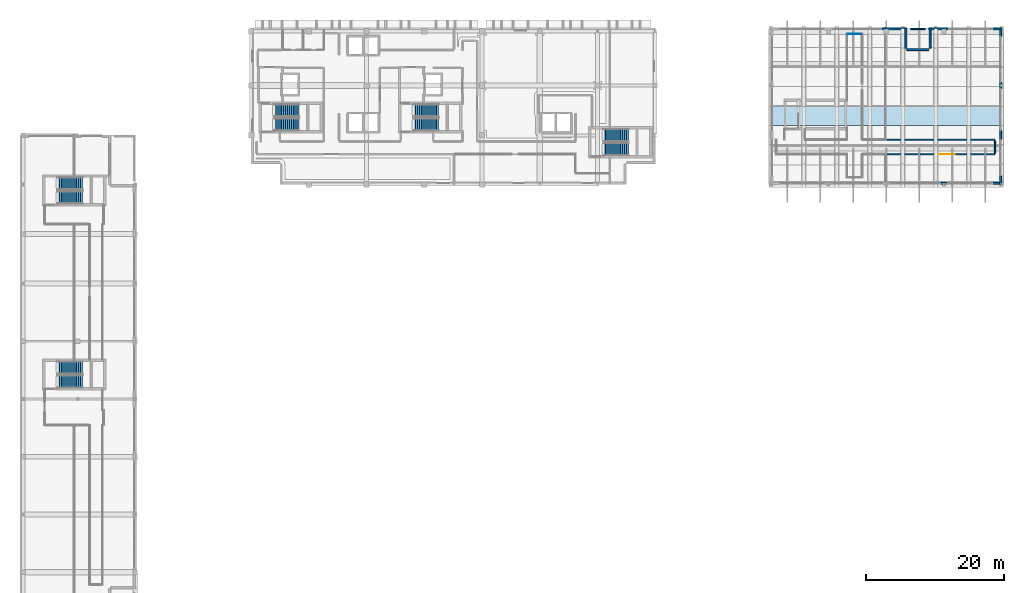
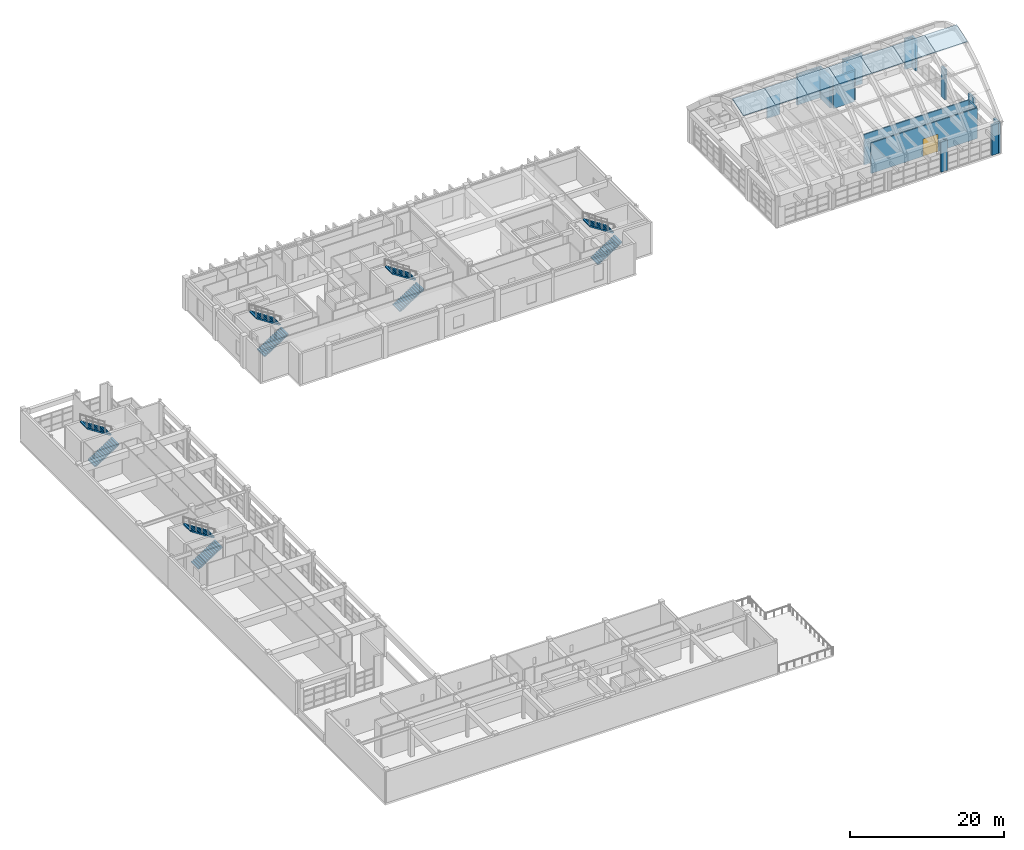
# One storey, part 71 of 78: 17 walls, 10 stair flights, 7 roofs, 1 door, 1 opening, 5 elements without a shape of their own.
"""IFC4 building model written with IfcOpenShell, lengths in metres."""

from ifc_helpers import new_model, si_unit, direction, frame, frame_2d, origin, place, context, subcontext, project, spatial, polyline, rectangle, outline, extrude, material, layer, layer_set, type_object, element, fill, aggregate, save


model = new_model("IFC4")

# Units and contexts
model_context = context("Model", 3, precision=1e-05, world=origin(), true_north=direction((0.0, 1.0)))
body_context = subcontext(model_context, "Body", "Model", "MODEL_VIEW")
ifc_project = project(units=[si_unit("LENGTHUNIT", "METRE"), si_unit("AREAUNIT", "SQUARE_METRE"), si_unit("VOLUMEUNIT", "CUBIC_METRE"), si_unit("PLANEANGLEUNIT", "RADIAN"), si_unit("MASSUNIT", "GRAM", prefix="KILO")], contexts=[model_context])

# Site, building, storey
site_placement = place(None, origin())
site = spatial("IfcSite", under=ifc_project, at=site_placement, CompositionType="ELEMENT")
building_placement = place(site_placement, origin())
building = spatial("IfcBuilding", under=site, at=building_placement, Name="Quendrovan Civic Courthouse", CompositionType="ELEMENT")
storey_placement = place(building_placement, frame((0.0, 0.0, 20.39990234375)))
storey = spatial("IfcBuildingStorey", under=building, at=storey_placement, Name="L05", CompositionType="ELEMENT", Elevation=20.39990234375)

# Wall, opening, door
ifc_material_1 = material(Name="Acoustic gypsum and mineral wool partition")
ifc_layer_1 = layer(ifc_material_1, 0.179931640625, Name="Acoustic gypsum and mineral wool partition")
ifc_layer_set_1 = layer_set([ifc_layer_1], Name="Acoustic gypsum and mineral wool partition")
wall_type_1 = type_object("IfcWallType", Name="WL-CRT-AC180", PredefinedType="PARTITIONING", material=ifc_layer_set_1)
wall_1_placement = place(storey_placement, frame((125.89990234375, 92.0, 0.0), z_axis=(0.0, 0.0, 1.0), x_axis=(1.0, 0.0, 0.0)))
wall_1 = element("IfcWall", 1, at=wall_1_placement, inside=storey, type_object=wall_type_1, Name="L05 Ceremonial Vault Observation and Judicial Salon Partition 0672", PredefinedType="PARTITIONING", context=body_context, shape_type="SweptSolid", body=[
    extrude(rectangle(XDim=15.900146484375, YDim=0.179931640625, at=frame_2d((7.9501953125, 0.0))), origin(), (0.0, 0.0, 1.0), 4.840087890625),
])
opening_placement = place(wall_1_placement, frame((7.763916015625, 0.0, 0.0)))
opening = element("IfcOpeningElement", 2, at=opening_placement, cuts=wall_1, Name="Opening D-L05-099", PredefinedType="OPENING", context=body_context, shape_type="SweptSolid", body=[
    extrude(rectangle(XDim=2.280029296875, YDim=2.75, at=frame_2d((1.14013671875, 1.375))), frame((0.0, 0.10009765625, 0.0), z_axis=(0.0, -1.0, 0.0), x_axis=(1.0, 0.0, 0.0)), (0.0, 0.0, 1.0), 0.199951171875),
])
ifc_material_2 = material(Name="Bronze-framed acoustic timber ceremonial door", Category="wood")
door_type = type_object("IfcDoorType", Name="DR-CER-DBL2280", OperationType="NOTDEFINED", PredefinedType="DOOR", material=ifc_material_2)
door_placement = place(opening_placement, origin())
door = element("IfcDoor", 3, at=door_placement, inside=storey, type_object=door_type, Name="L05 Ceremonial Vault Observation and Judicial Salon Door D-L05-099", OperationType="SINGLE_SWING_RIGHT", OverallHeight=2.75, OverallWidth=2.280029296875, PredefinedType="DOOR", context=body_context, shape_type="SweptSolid", body=[
    extrude(rectangle(XDim=2.280029296875, YDim=2.75, at=frame_2d((1.14013671875, 1.375))), frame((0.0, 0.02490234375, 0.0), z_axis=(0.0, -1.0, 0.0), x_axis=(1.0, 0.0, 0.0)), (0.0, 0.0, 1.0), 0.050048828125),
])
fill(opening, door)

# Walls
wall_2_placement = place(storey_placement, frame((141.800048828125, 94.10009765625, 0.0), z_axis=(0.0, 0.0, 1.0), x_axis=(-1.0, 0.0, 0.0)))
element("IfcWall", 4, at=wall_2_placement, inside=storey, type_object=wall_type_1, Name="L05 Ceremonial Vault Observation and Judicial Salon Partition 0673", PredefinedType="PARTITIONING", context=body_context, shape_type="SweptSolid", body=[
    extrude(rectangle(XDim=15.77001953125, YDim=0.179931640625, at=frame_2d((7.885009765625, 0.0))), origin(), (0.0, 0.0, 1.0), 4.840087890625),
])
wall_3_placement = place(storey_placement, frame((141.800048828125, 92.169921875, 0.0), z_axis=(0.0, 0.0, 1.0), x_axis=(0.0, 1.0, 0.0)))
element("IfcWall", 5, at=wall_3_placement, inside=storey, type_object=wall_type_1, Name="L05 Ceremonial Vault Observation and Judicial Salon Partition 0739", PredefinedType="PARTITIONING", context=body_context, shape_type="SweptSolid", body=[
    extrude(rectangle(XDim=1.760009765625, YDim=0.179931640625, at=frame_2d((0.8798828125, 0.0))), origin(), (0.0, 0.0, 1.0), 4.840087890625),
])
ifc_material_3 = material(Name="Precast concrete C45/55", Category="concrete")
ifc_layer_2 = layer(ifc_material_3, 0.2900390625, Name="Precast concrete C45/55")
ifc_layer_set_2 = layer_set([ifc_layer_2], Name="Precast concrete C45/55")
wall_type_2 = type_object("IfcWallType", Name="WL-EXT-PC290", PredefinedType="SOLIDWALL", material=ifc_layer_set_2)
wall_4_placement = place(storey_placement, frame((125.324951171875, 110.235107421875, 0.0), z_axis=(0.0, 0.0, 1.0), x_axis=(1.0, 0.0, 0.0)))
element("IfcWall", 6, at=wall_4_placement, inside=storey, type_object=wall_type_2, Name="L05 Exterior Pier Wall 451", PredefinedType="SOLIDWALL", context=body_context, shape_type="SweptSolid", body=[
    extrude(rectangle(XDim=3.675048828125, YDim=0.2900390625, at=frame_2d((1.83740234375, 0.0))), origin(), (0.0, 0.0, 1.0), 4.840087890625),
])
wall_5_placement = place(storey_placement, frame((128.8349609375, 110.39990234375, 0.0), z_axis=(0.0, 0.0, 1.0), x_axis=(0.0, -1.0, 0.0)))
element("IfcWall", 7, at=wall_5_placement, inside=storey, type_object=wall_type_2, Name="L05 Exterior Civic Portal Wall 452", PredefinedType="SOLIDWALL", context=body_context, shape_type="SweptSolid", body=[
    extrude(rectangle(XDim=3.0, YDim=0.2900390625, at=frame_2d((1.5, 0.0))), origin(), (0.0, 0.0, 1.0), 4.840087890625),
])
wall_6_placement = place(storey_placement, frame((129.0, 107.235107421875, 0.0), z_axis=(0.0, 0.0, 1.0), x_axis=(1.0, 0.0, 0.0)))
element("IfcWall", 8, at=wall_6_placement, inside=storey, type_object=wall_type_2, Name="L05 Exterior Civic Portal Wall 453", PredefinedType="SOLIDWALL", context=body_context, shape_type="SweptSolid", body=[
    extrude(rectangle(XDim=3.199951171875, YDim=0.2900390625, at=frame_2d((1.60009765625, 0.0))), origin(), (0.0, 0.0, 1.0), 4.840087890625),
])
wall_7_placement = place(storey_placement, frame((132.364990234375, 107.39990234375, 0.0), z_axis=(0.0, 0.0, 1.0), x_axis=(0.0, 1.0, 0.0)))
element("IfcWall", 9, at=wall_7_placement, inside=storey, type_object=wall_type_2, Name="L05 Exterior Civic Portal Wall 454", PredefinedType="SOLIDWALL", context=body_context, shape_type="SweptSolid", body=[
    extrude(rectangle(XDim=3.0, YDim=0.2900390625, at=frame_2d((1.5, 0.0))), origin(), (0.0, 0.0, 1.0), 4.840087890625),
])
wall_8_placement = place(storey_placement, frame((132.199951171875, 110.235107421875, 0.0), z_axis=(0.0, 0.0, 1.0), x_axis=(1.0, 0.0, 0.0)))
element("IfcWall", 10, at=wall_8_placement, inside=storey, type_object=wall_type_2, Name="L05 Exterior Pier Wall 455", PredefinedType="SOLIDWALL", context=body_context, shape_type="SweptSolid", body=[
    extrude(rectangle(XDim=2.875, YDim=0.2900390625, at=frame_2d((1.4375, 0.0))), origin(), (0.0, 0.0, 1.0), 4.840087890625),
])
wall_9_placement = place(storey_placement, frame((141.5, 110.235107421875, 0.0), z_axis=(0.0, 0.0, 1.0), x_axis=(1.0, 0.0, 0.0)))
element("IfcWall", 11, at=wall_9_placement, inside=storey, type_object=wall_type_2, Name="L05 Exterior Pier Wall 456", PredefinedType="SOLIDWALL", context=body_context, shape_type="SweptSolid", body=[
    extrude(rectangle(XDim=1.300048828125, YDim=0.2900390625, at=frame_2d((0.64990234375, 0.0))), origin(), (0.0, 0.0, 1.0), 4.840087890625),
])
wall_10_placement = place(storey_placement, frame((142.635009765625, 110.39990234375, 0.0), z_axis=(0.0, 0.0, 1.0), x_axis=(0.0, -1.0, 0.0)))
element("IfcWall", 12, at=wall_10_placement, inside=storey, type_object=wall_type_2, Name="L05 Exterior Pier Wall 457", PredefinedType="SOLIDWALL", context=body_context, shape_type="SweptSolid", body=[
    extrude(rectangle(XDim=1.2998046875, YDim=0.2900390625, at=frame_2d((0.64990234375, 0.0))), origin(), (0.0, 0.0, 1.0), 4.840087890625),
])
wall_11_placement = place(storey_placement, frame((142.635009765625, 102.5, 0.0), z_axis=(0.0, 0.0, 1.0), x_axis=(0.0, -1.0, 0.0)))
element("IfcWall", 13, at=wall_11_placement, inside=storey, type_object=wall_type_2, Name="L05 Exterior Pier Wall 458", PredefinedType="SOLIDWALL", context=body_context, shape_type="SweptSolid", body=[
    extrude(rectangle(XDim=1.0, YDim=0.2900390625, at=frame_2d((0.5, 0.0))), origin(), (0.0, 0.0, 1.0), 4.840087890625),
])
wall_12_placement = place(storey_placement, frame((142.635009765625, 95.47509765625, 0.0), z_axis=(0.0, 0.0, 1.0), x_axis=(0.0, -1.0, 0.0)))
element("IfcWall", 14, at=wall_12_placement, inside=storey, type_object=wall_type_2, Name="L05 Exterior Pier Wall 459", PredefinedType="SOLIDWALL", context=body_context, shape_type="SweptSolid", body=[
    extrude(rectangle(XDim=1.35009765625, YDim=0.2900390625, at=frame_2d((0.675048828125, 0.0))), origin(), (0.0, 0.0, 1.0), 4.840087890625),
])
wall_13_placement = place(storey_placement, frame((142.635009765625, 88.89990234375, 0.0), z_axis=(0.0, 0.0, 1.0), x_axis=(0.0, -1.0, 0.0)))
element("IfcWall", 15, at=wall_13_placement, inside=storey, type_object=wall_type_2, Name="L05 Exterior Pier Wall 460", PredefinedType="SOLIDWALL", context=body_context, shape_type="SweptSolid", body=[
    extrude(rectangle(XDim=1.2998046875, YDim=0.2900390625, at=frame_2d((0.64990234375, 0.0))), origin(), (0.0, 0.0, 1.0), 4.840087890625),
])
wall_14_placement = place(storey_placement, frame((142.800048828125, 87.764892578125, 0.0), z_axis=(0.0, 0.0, 1.0), x_axis=(-1.0, 0.0, 0.0)))
element("IfcWall", 16, at=wall_14_placement, inside=storey, type_object=wall_type_2, Name="L05 Exterior Pier Wall 461", PredefinedType="SOLIDWALL", context=body_context, shape_type="SweptSolid", body=[
    extrude(rectangle(XDim=1.300048828125, YDim=0.2900390625, at=frame_2d((0.64990234375, 0.0))), origin(), (0.0, 0.0, 1.0), 4.840087890625),
])
wall_15_placement = place(storey_placement, frame((134.89990234375, 87.764892578125, 0.0), z_axis=(0.0, 0.0, 1.0), x_axis=(-1.0, 0.0, 0.0)))
element("IfcWall", 17, at=wall_15_placement, inside=storey, type_object=wall_type_2, Name="L05 Exterior Pier Wall 462", PredefinedType="SOLIDWALL", context=body_context, shape_type="SweptSolid", body=[
    extrude(rectangle(XDim=1.0, YDim=0.2900390625, at=frame_2d((0.5, 0.0))), origin(), (0.0, 0.0, 1.0), 4.840087890625),
])
ifc_material_4 = material(Name="Lightweight gypsum partition")
ifc_layer_3 = layer(ifc_material_4, 0.10009765625, Name="Lightweight gypsum partition")
ifc_layer_set_3 = layer_set([ifc_layer_3], Name="Lightweight gypsum partition")
wall_type_3 = type_object("IfcWallType", Name="WL-INT-100", PredefinedType="PARTITIONING", material=ifc_layer_set_3)
wall_16_placement = place(storey_placement, frame((122.3701171875, 109.5, 0.0), z_axis=(0.0, 0.0, 1.0), x_axis=(-1.0, 0.0, 0.0)))
element("IfcWall", 18, at=wall_16_placement, inside=storey, type_object=wall_type_3, Name="L05 Defense Counsel Room Partition 0733", PredefinedType="PARTITIONING", context=body_context, shape_type="SweptSolid", body=[
    extrude(rectangle(XDim=1.940185546875, YDim=0.10009765625, at=frame_2d((0.97021484375, 0.0))), origin(), (0.0, 0.0, 1.0), 3.2900390625),
])
ifc_layer_4 = layer(ifc_material_3, 0.2099609375, Name="Precast concrete C45/55")
ifc_layer_set_4 = layer_set([ifc_layer_4], Name="Precast concrete C45/55")
wall_type_4 = type_object("IfcWallType", Name="WL-PARAPET-210", PredefinedType="PARAPET", material=ifc_layer_set_4)
wall_17_placement = place(storey_placement, frame((129.5400390625, 110.199951171875, 0.0), z_axis=(0.0, 0.0, 1.0), x_axis=(1.0, 0.0, 0.0)))
element("IfcWall", 19, at=wall_17_placement, inside=storey, type_object=wall_type_4, Name="L05 Precast Roof Parapet Wall 52", PredefinedType="PARAPET", context=body_context, shape_type="SweptSolid", body=[
    extrude(rectangle(XDim=2.119873046875, YDim=0.2099609375, at=frame_2d((1.06005859375, 0.0))), origin(), (0.0, 0.0, 1.0), 1.1201171875),
])

# Stair, stair flights
ifc_material_5 = material(Name="Concrete C40/50", Category="concrete")
stair_type_1 = type_object("IfcStairType", Name="STR-CORE-5100", PredefinedType="HALF_TURN_STAIR", material=ifc_material_5)
stair_1_placement = place(storey_placement, origin())
stair_1 = element("IfcStair", 20, at=stair_1_placement, inside=storey, type_object=stair_type_1, Name="L05 West Judicial and Public Exit Stair 1", PredefinedType="HALF_TURN_STAIR")
stair_flight_type_1 = type_object("IfcStairFlightType", Name="FLT-CORE-5100", PredefinedType="STRAIGHT", material=ifc_material_5)
stair_flight_1_placement = place(storey_placement, frame((36.949951171875, 96.324951171875, 0.0), z_axis=(0.0, 0.0, 1.0), x_axis=(1.0, 0.0, 0.0)))
stair_flight_1 = element("IfcStairFlight", 21, at=stair_flight_1_placement, type_object=stair_flight_type_1, Name="ST1 flight 1", NumberOfRisers=14, NumberOfTreads=13, PredefinedType="STRAIGHT", RiserHeight=0.182142857, TreadLength=0.28, context=body_context, shape_type="SweptSolid", body=[
    extrude(outline(polyline([(0.0, 0.0), (0.0, 0.18212890625), (0.280029296875, 0.18212890625), (0.280029296875, 0.3642578125), (0.56005859375, 0.3642578125), (0.56005859375, 0.54638671875), (0.840087890625, 0.54638671875), (0.840087890625, 0.728515625), (1.1201171875, 0.728515625), (1.1201171875, 0.91064453125), (1.39990234375, 0.91064453125), (1.39990234375, 1.0927734375), (1.679931640625, 1.0927734375), (1.679931640625, 1.27490234375), (1.9599609375, 1.27490234375), (1.9599609375, 1.45703125), (2.239990234375, 1.45703125), (2.239990234375, 1.639404296875), (2.52001953125, 1.639404296875), (2.52001953125, 1.821533203125), (2.800048828125, 1.821533203125), (2.800048828125, 2.003662109375), (3.080078125, 2.003662109375), (3.080078125, 2.185791015625), (3.360107421875, 2.185791015625), (3.360107421875, 2.367919921875), (3.639892578125, 2.367919921875), (3.639892578125, 2.550048828125), (3.639892578125, 2.18896484375), (0.27490234375, 0.0), (0.0, 0.0)])), frame((0.0, 0.925048828125, 0.0), z_axis=(0.0, -1.0, 0.0), x_axis=(1.0, 0.0, 0.0)), (0.0, 0.0, 1.0), 1.85009765625),
])
stair_flight_2_placement = place(storey_placement, frame((40.590087890625, 98.35498046875, 2.550048828125), z_axis=(0.0, 0.0, 1.0), x_axis=(-1.0, 0.0, 0.0)))
stair_flight_2 = element("IfcStairFlight", 22, at=stair_flight_2_placement, type_object=stair_flight_type_1, Name="ST1 flight 2", NumberOfRisers=14, NumberOfTreads=13, PredefinedType="STRAIGHT", RiserHeight=0.182142857, TreadLength=0.28, context=body_context, shape_type="SweptSolid", body=[
    extrude(outline(polyline([(0.0, 0.0), (0.0, 0.18212890625), (0.280029296875, 0.18212890625), (0.280029296875, 0.3642578125), (0.56005859375, 0.3642578125), (0.56005859375, 0.54638671875), (0.840087890625, 0.54638671875), (0.840087890625, 0.728515625), (1.1201171875, 0.728515625), (1.1201171875, 0.91064453125), (1.39990234375, 0.91064453125), (1.39990234375, 1.0927734375), (1.679931640625, 1.0927734375), (1.679931640625, 1.27490234375), (1.9599609375, 1.27490234375), (1.9599609375, 1.45703125), (2.239990234375, 1.45703125), (2.239990234375, 1.639404296875), (2.52001953125, 1.639404296875), (2.52001953125, 1.821533203125), (2.800048828125, 1.821533203125), (2.800048828125, 2.003662109375), (3.080078125, 2.003662109375), (3.080078125, 2.185791015625), (3.360107421875, 2.185791015625), (3.360107421875, 2.367919921875), (3.639892578125, 2.367919921875), (3.639892578125, 2.550048828125), (3.639892578125, 2.18896484375), (0.27490234375, 0.0), (0.0, 0.0)])), frame((0.0, 0.925048828125, 0.0), z_axis=(0.0, -1.0, 0.0), x_axis=(1.0, 0.0, 0.0)), (0.0, 0.0, 1.0), 1.85009765625),
])
aggregate(stair_1, [stair_flight_1, stair_flight_2])

stair_2_placement = place(storey_placement, origin())
stair_2 = element("IfcStair", 23, at=stair_2_placement, inside=storey, type_object=stair_type_1, Name="L05 Central Judicial and Firefighting Exit Stair 2", PredefinedType="HALF_TURN_STAIR")
stair_flight_3_placement = place(storey_placement, frame((57.25, 96.324951171875, 0.0), z_axis=(0.0, 0.0, 1.0), x_axis=(1.0, 0.0, 0.0)))
stair_flight_3 = element("IfcStairFlight", 24, at=stair_flight_3_placement, type_object=stair_flight_type_1, Name="ST2 flight 1", NumberOfRisers=14, NumberOfTreads=13, PredefinedType="STRAIGHT", RiserHeight=0.182142857, TreadLength=0.28, context=body_context, shape_type="SweptSolid", body=[
    extrude(outline(polyline([(0.0, 0.0), (0.0, 0.18212890625), (0.280029296875, 0.18212890625), (0.280029296875, 0.3642578125), (0.56005859375, 0.3642578125), (0.56005859375, 0.54638671875), (0.840087890625, 0.54638671875), (0.840087890625, 0.728515625), (1.1201171875, 0.728515625), (1.1201171875, 0.91064453125), (1.39990234375, 0.91064453125), (1.39990234375, 1.0927734375), (1.679931640625, 1.0927734375), (1.679931640625, 1.27490234375), (1.9599609375, 1.27490234375), (1.9599609375, 1.45703125), (2.239990234375, 1.45703125), (2.239990234375, 1.639404296875), (2.52001953125, 1.639404296875), (2.52001953125, 1.821533203125), (2.800048828125, 1.821533203125), (2.800048828125, 2.003662109375), (3.080078125, 2.003662109375), (3.080078125, 2.185791015625), (3.360107421875, 2.185791015625), (3.360107421875, 2.367919921875), (3.639892578125, 2.367919921875), (3.639892578125, 2.550048828125), (3.639892578125, 2.18896484375), (0.27490234375, 0.0), (0.0, 0.0)])), frame((0.0, 0.925048828125, 0.0), z_axis=(0.0, -1.0, 0.0), x_axis=(1.0, 0.0, 0.0)), (0.0, 0.0, 1.0), 1.85009765625),
])
stair_flight_4_placement = place(storey_placement, frame((60.889892578125, 98.35498046875, 2.550048828125), z_axis=(0.0, 0.0, 1.0), x_axis=(-1.0, 0.0, 0.0)))
stair_flight_4 = element("IfcStairFlight", 25, at=stair_flight_4_placement, type_object=stair_flight_type_1, Name="ST2 flight 2", NumberOfRisers=14, NumberOfTreads=13, PredefinedType="STRAIGHT", RiserHeight=0.182142857, TreadLength=0.28, context=body_context, shape_type="SweptSolid", body=[
    extrude(outline(polyline([(0.0, 0.0), (0.0, 0.18212890625), (0.280029296875, 0.18212890625), (0.280029296875, 0.3642578125), (0.56005859375, 0.3642578125), (0.56005859375, 0.54638671875), (0.840087890625, 0.54638671875), (0.840087890625, 0.728515625), (1.1201171875, 0.728515625), (1.1201171875, 0.91064453125), (1.39990234375, 0.91064453125), (1.39990234375, 1.0927734375), (1.679931640625, 1.0927734375), (1.679931640625, 1.27490234375), (1.9599609375, 1.27490234375), (1.9599609375, 1.45703125), (2.239990234375, 1.45703125), (2.239990234375, 1.639404296875), (2.52001953125, 1.639404296875), (2.52001953125, 1.821533203125), (2.800048828125, 1.821533203125), (2.800048828125, 2.003662109375), (3.080078125, 2.003662109375), (3.080078125, 2.185791015625), (3.360107421875, 2.185791015625), (3.360107421875, 2.367919921875), (3.639892578125, 2.367919921875), (3.639892578125, 2.550048828125), (3.639892578125, 2.18896484375), (0.27490234375, 0.0), (0.0, 0.0)])), frame((0.0, 0.925048828125, 0.0), z_axis=(0.0, -1.0, 0.0), x_axis=(1.0, 0.0, 0.0)), (0.0, 0.0, 1.0), 1.85009765625),
])
aggregate(stair_2, [stair_flight_3, stair_flight_4])

stair_3_placement = place(storey_placement, origin())
stair_3 = element("IfcStair", 26, at=stair_3_placement, inside=storey, type_object=stair_type_1, Name="L05 East Court Block Exit Stair 3", PredefinedType="HALF_TURN_STAIR")
stair_flight_5_placement = place(storey_placement, frame((84.85009765625, 92.72509765625, 0.0), z_axis=(0.0, 0.0, 1.0), x_axis=(1.0, 0.0, 0.0)))
stair_flight_5 = element("IfcStairFlight", 27, at=stair_flight_5_placement, type_object=stair_flight_type_1, Name="ST3 flight 1", NumberOfRisers=14, NumberOfTreads=13, PredefinedType="STRAIGHT", RiserHeight=0.182142857, TreadLength=0.28, context=body_context, shape_type="SweptSolid", body=[
    extrude(outline(polyline([(0.0, 0.0), (0.0, 0.18212890625), (0.280029296875, 0.18212890625), (0.280029296875, 0.3642578125), (0.56005859375, 0.3642578125), (0.56005859375, 0.54638671875), (0.840087890625, 0.54638671875), (0.840087890625, 0.728515625), (1.1201171875, 0.728515625), (1.1201171875, 0.91064453125), (1.39990234375, 0.91064453125), (1.39990234375, 1.0927734375), (1.679931640625, 1.0927734375), (1.679931640625, 1.27490234375), (1.9599609375, 1.27490234375), (1.9599609375, 1.45703125), (2.239990234375, 1.45703125), (2.239990234375, 1.639404296875), (2.52001953125, 1.639404296875), (2.52001953125, 1.821533203125), (2.800048828125, 1.821533203125), (2.800048828125, 2.003662109375), (3.080078125, 2.003662109375), (3.080078125, 2.185791015625), (3.360107421875, 2.185791015625), (3.360107421875, 2.367919921875), (3.639892578125, 2.367919921875), (3.639892578125, 2.550048828125), (3.639892578125, 2.18896484375), (0.27490234375, 0.0), (0.0, 0.0)])), frame((0.0, 0.925048828125, 0.0), z_axis=(0.0, -1.0, 0.0), x_axis=(1.0, 0.0, 0.0)), (0.0, 0.0, 1.0), 1.85009765625),
])
stair_flight_6_placement = place(storey_placement, frame((88.489990234375, 94.7548828125, 2.550048828125), z_axis=(0.0, 0.0, 1.0), x_axis=(-1.0, 0.0, 0.0)))
stair_flight_6 = element("IfcStairFlight", 28, at=stair_flight_6_placement, type_object=stair_flight_type_1, Name="ST3 flight 2", NumberOfRisers=14, NumberOfTreads=13, PredefinedType="STRAIGHT", RiserHeight=0.182142857, TreadLength=0.28, context=body_context, shape_type="SweptSolid", body=[
    extrude(outline(polyline([(0.0, 0.0), (0.0, 0.18212890625), (0.280029296875, 0.18212890625), (0.280029296875, 0.3642578125), (0.56005859375, 0.3642578125), (0.56005859375, 0.54638671875), (0.840087890625, 0.54638671875), (0.840087890625, 0.728515625), (1.1201171875, 0.728515625), (1.1201171875, 0.91064453125), (1.39990234375, 0.91064453125), (1.39990234375, 1.0927734375), (1.679931640625, 1.0927734375), (1.679931640625, 1.27490234375), (1.9599609375, 1.27490234375), (1.9599609375, 1.45703125), (2.239990234375, 1.45703125), (2.239990234375, 1.639404296875), (2.52001953125, 1.639404296875), (2.52001953125, 1.821533203125), (2.800048828125, 1.821533203125), (2.800048828125, 2.003662109375), (3.080078125, 2.003662109375), (3.080078125, 2.185791015625), (3.360107421875, 2.185791015625), (3.360107421875, 2.367919921875), (3.639892578125, 2.367919921875), (3.639892578125, 2.550048828125), (3.639892578125, 2.18896484375), (0.27490234375, 0.0), (0.0, 0.0)])), frame((0.0, 0.925048828125, 0.0), z_axis=(0.0, -1.0, 0.0), x_axis=(1.0, 0.0, 0.0)), (0.0, 0.0, 1.0), 1.85009765625),
])
aggregate(stair_3, [stair_flight_5, stair_flight_6])

stair_4_placement = place(storey_placement, origin())
stair_4 = element("IfcStair", 29, at=stair_4_placement, inside=storey, type_object=stair_type_1, Name="L05 Law Library Wing Exit Stair 4", PredefinedType="HALF_TURN_STAIR")
stair_flight_7_placement = place(storey_placement, frame((5.449951171875, 58.925048828125, 0.0), z_axis=(0.0, 0.0, 1.0), x_axis=(1.0, 0.0, 0.0)))
stair_flight_7 = element("IfcStairFlight", 30, at=stair_flight_7_placement, type_object=stair_flight_type_1, Name="ST4 flight 1", NumberOfRisers=14, NumberOfTreads=13, PredefinedType="STRAIGHT", RiserHeight=0.182142857, TreadLength=0.28, context=body_context, shape_type="SweptSolid", body=[
    extrude(outline(polyline([(0.0, 0.0), (0.0, 0.18212890625), (0.280029296875, 0.18212890625), (0.280029296875, 0.3642578125), (0.56005859375, 0.3642578125), (0.56005859375, 0.54638671875), (0.840087890625, 0.54638671875), (0.840087890625, 0.728515625), (1.1201171875, 0.728515625), (1.1201171875, 0.91064453125), (1.39990234375, 0.91064453125), (1.39990234375, 1.0927734375), (1.679931640625, 1.0927734375), (1.679931640625, 1.27490234375), (1.9599609375, 1.27490234375), (1.9599609375, 1.45703125), (2.239990234375, 1.45703125), (2.239990234375, 1.639404296875), (2.52001953125, 1.639404296875), (2.52001953125, 1.821533203125), (2.800048828125, 1.821533203125), (2.800048828125, 2.003662109375), (3.080078125, 2.003662109375), (3.080078125, 2.185791015625), (3.360107421875, 2.185791015625), (3.360107421875, 2.367919921875), (3.639892578125, 2.367919921875), (3.639892578125, 2.550048828125), (3.639892578125, 2.18896484375), (0.27490234375, 0.0), (0.0, 0.0)])), frame((0.0, 0.925048828125, 0.0), z_axis=(0.0, -1.0, 0.0), x_axis=(1.0, 0.0, 0.0)), (0.0, 0.0, 1.0), 1.85009765625),
])
stair_flight_8_placement = place(storey_placement, frame((9.090087890625, 60.955078125, 2.550048828125), z_axis=(0.0, 0.0, 1.0), x_axis=(-1.0, 0.0, 0.0)))
stair_flight_8 = element("IfcStairFlight", 31, at=stair_flight_8_placement, type_object=stair_flight_type_1, Name="ST4 flight 2", NumberOfRisers=14, NumberOfTreads=13, PredefinedType="STRAIGHT", RiserHeight=0.182142857, TreadLength=0.28, context=body_context, shape_type="SweptSolid", body=[
    extrude(outline(polyline([(0.0, 0.0), (0.0, 0.18212890625), (0.280029296875, 0.18212890625), (0.280029296875, 0.3642578125), (0.56005859375, 0.3642578125), (0.56005859375, 0.54638671875), (0.840087890625, 0.54638671875), (0.840087890625, 0.728515625), (1.1201171875, 0.728515625), (1.1201171875, 0.91064453125), (1.39990234375, 0.91064453125), (1.39990234375, 1.0927734375), (1.679931640625, 1.0927734375), (1.679931640625, 1.27490234375), (1.9599609375, 1.27490234375), (1.9599609375, 1.45703125), (2.239990234375, 1.45703125), (2.239990234375, 1.639404296875), (2.52001953125, 1.639404296875), (2.52001953125, 1.821533203125), (2.800048828125, 1.821533203125), (2.800048828125, 2.003662109375), (3.080078125, 2.003662109375), (3.080078125, 2.185791015625), (3.360107421875, 2.185791015625), (3.360107421875, 2.367919921875), (3.639892578125, 2.367919921875), (3.639892578125, 2.550048828125), (3.639892578125, 2.18896484375), (0.27490234375, 0.0), (0.0, 0.0)])), frame((0.0, 0.925048828125, 0.0), z_axis=(0.0, -1.0, 0.0), x_axis=(1.0, 0.0, 0.0)), (0.0, 0.0, 1.0), 1.85009765625),
])
aggregate(stair_4, [stair_flight_7, stair_flight_8])

stair_type_2 = type_object("IfcStairType", Name="STR-FEAT-5100", PredefinedType="HALF_TURN_STAIR", material=ifc_material_3)
stair_5_placement = place(storey_placement, origin())
stair_5 = element("IfcStair", 32, at=stair_5_placement, inside=storey, type_object=stair_type_2, Name="L05 North-West Law Library Exit Stair 8", PredefinedType="HALF_TURN_STAIR")
stair_flight_type_2 = type_object("IfcStairFlightType", Name="FLT-FEAT-5100", PredefinedType="STRAIGHT", material=ifc_material_3)
stair_flight_9_placement = place(storey_placement, frame((5.449951171875, 85.72509765625, 0.0), z_axis=(0.0, 0.0, 1.0), x_axis=(1.0, 0.0, 0.0)))
stair_flight_9 = element("IfcStairFlight", 33, at=stair_flight_9_placement, type_object=stair_flight_type_2, Name="ST8 flight 1", NumberOfRisers=14, NumberOfTreads=13, PredefinedType="STRAIGHT", RiserHeight=0.182142857, TreadLength=0.28, context=body_context, shape_type="SweptSolid", body=[
    extrude(outline(polyline([(0.0, 0.0), (0.0, 0.18212890625), (0.280029296875, 0.18212890625), (0.280029296875, 0.3642578125), (0.56005859375, 0.3642578125), (0.56005859375, 0.54638671875), (0.840087890625, 0.54638671875), (0.840087890625, 0.728515625), (1.1201171875, 0.728515625), (1.1201171875, 0.91064453125), (1.39990234375, 0.91064453125), (1.39990234375, 1.0927734375), (1.679931640625, 1.0927734375), (1.679931640625, 1.27490234375), (1.9599609375, 1.27490234375), (1.9599609375, 1.45703125), (2.239990234375, 1.45703125), (2.239990234375, 1.639404296875), (2.52001953125, 1.639404296875), (2.52001953125, 1.821533203125), (2.800048828125, 1.821533203125), (2.800048828125, 2.003662109375), (3.080078125, 2.003662109375), (3.080078125, 2.185791015625), (3.360107421875, 2.185791015625), (3.360107421875, 2.367919921875), (3.639892578125, 2.367919921875), (3.639892578125, 2.550048828125), (3.639892578125, 2.18896484375), (0.27490234375, 0.0), (0.0, 0.0)])), frame((0.0, 0.925048828125, 0.0), z_axis=(0.0, -1.0, 0.0), x_axis=(1.0, 0.0, 0.0)), (0.0, 0.0, 1.0), 1.85009765625),
])
stair_flight_10_placement = place(storey_placement, frame((9.090087890625, 87.7548828125, 2.550048828125), z_axis=(0.0, 0.0, 1.0), x_axis=(-1.0, 0.0, 0.0)))
stair_flight_10 = element("IfcStairFlight", 34, at=stair_flight_10_placement, type_object=stair_flight_type_2, Name="ST8 flight 2", NumberOfRisers=14, NumberOfTreads=13, PredefinedType="STRAIGHT", RiserHeight=0.182142857, TreadLength=0.28, context=body_context, shape_type="SweptSolid", body=[
    extrude(outline(polyline([(0.0, 0.0), (0.0, 0.18212890625), (0.280029296875, 0.18212890625), (0.280029296875, 0.3642578125), (0.56005859375, 0.3642578125), (0.56005859375, 0.54638671875), (0.840087890625, 0.54638671875), (0.840087890625, 0.728515625), (1.1201171875, 0.728515625), (1.1201171875, 0.91064453125), (1.39990234375, 0.91064453125), (1.39990234375, 1.0927734375), (1.679931640625, 1.0927734375), (1.679931640625, 1.27490234375), (1.9599609375, 1.27490234375), (1.9599609375, 1.45703125), (2.239990234375, 1.45703125), (2.239990234375, 1.639404296875), (2.52001953125, 1.639404296875), (2.52001953125, 1.821533203125), (2.800048828125, 1.821533203125), (2.800048828125, 2.003662109375), (3.080078125, 2.003662109375), (3.080078125, 2.185791015625), (3.360107421875, 2.185791015625), (3.360107421875, 2.367919921875), (3.639892578125, 2.367919921875), (3.639892578125, 2.550048828125), (3.639892578125, 2.18896484375), (0.27490234375, 0.0), (0.0, 0.0)])), frame((0.0, 0.925048828125, 0.0), z_axis=(0.0, -1.0, 0.0), x_axis=(1.0, 0.0, 0.0)), (0.0, 0.0, 1.0), 1.85009765625),
])
aggregate(stair_5, [stair_flight_9, stair_flight_10])

# Roofs
ifc_layer_5 = layer(ifc_material_3, 0.1201171875, Name="Precast concrete C45/55")
ifc_layer_set_5 = layer_set([ifc_layer_5], Name="Precast concrete C45/55")
roof_type = type_object("IfcRoofType", Name="ROOF-BARREL-ASSY", PredefinedType="BARREL_ROOF", material=ifc_layer_set_5)
for number, where, z_axis, x_axis, name in (
    (35, (109.199951171875, 96.14990234375, 12.47705078125), (0.0, -0.314153257445, 0.94937228253), (1.0, 0.0, 0.0), "BV1 Barrel Vault Crown Roofing Assembly B1"),
    (36, (114.0, 96.14990234375, 12.47705078125), (0.0, -0.314153257445, 0.94937228253), (1.0, 0.0, 0.0), "BV1 Barrel Vault Crown Roofing Assembly B2"),
    (37, (118.800048828125, 96.14990234375, 12.47705078125), (0.0, -0.314153257445, 0.94937228253), (1.0, 0.0, 0.0), "BV1 Barrel Vault Crown Roofing Assembly B3"),
):
    element("IfcRoof", number, at=place(storey_placement, frame(where, z_axis=z_axis, x_axis=x_axis)), inside=storey, type_object=roof_type, Name=name, PredefinedType="BARREL_ROOF", context=body_context, shape_type="SweptSolid", body=[
        extrude(outline(polyline([(0.0, 0.0), (4.800048828125, 0.0), (4.800048828125, 3.0020864403730876), (0.0, 3.0020864403730876), (0.0, 0.0)])), origin(), (0.0, 0.0, -1.0), 0.1201171875),
    ])
roof_placement = place(storey_placement, frame((123.60009765625, 96.14990234375, 12.47705078125), z_axis=(0.0, -0.314153257445, 0.94937228253), x_axis=(1.0, 0.0, 0.0)))
element("IfcRoof", 38, at=roof_placement, inside=storey, type_object=roof_type, Name="BV1 Barrel Vault Crown Roofing Assembly B4", PredefinedType="BARREL_ROOF", context=body_context, shape_type="SweptSolid", body=[
    extrude(outline(polyline([(0.0, 0.0), (4.7998046875, 0.0), (4.7998046875, 3.0020864403730876), (0.0, 3.0020864403730876), (0.0, 0.0)])), origin(), (0.0, 0.0, -1.0), 0.1201171875),
])
for number, where, z_axis, x_axis, name in (
    (39, (128.39990234375, 96.14990234375, 12.47705078125), (0.0, -0.314153257445, 0.94937228253), (1.0, 0.0, 0.0), "BV1 Barrel Vault Crown Roofing Assembly B5"),
    (40, (133.199951171875, 96.14990234375, 12.47705078125), (0.0, -0.314153257445, 0.94937228253), (1.0, 0.0, 0.0), "BV1 Barrel Vault Crown Roofing Assembly B6"),
    (41, (138.0, 96.14990234375, 12.47705078125), (0.0, -0.314153257445, 0.94937228253), (1.0, 0.0, 0.0), "BV1 Barrel Vault Crown Roofing Assembly B7"),
):
    element("IfcRoof", number, at=place(storey_placement, frame(where, z_axis=z_axis, x_axis=x_axis)), inside=storey, type_object=roof_type, Name=name, PredefinedType="BARREL_ROOF", context=body_context, shape_type="SweptSolid", body=[
        extrude(outline(polyline([(0.0, 0.0), (4.800048828125, 0.0), (4.800048828125, 3.0020864403730876), (0.0, 3.0020864403730876), (0.0, 0.0)])), origin(), (0.0, 0.0, -1.0), 0.1201171875),
    ])

save(model, "model.ifc")
